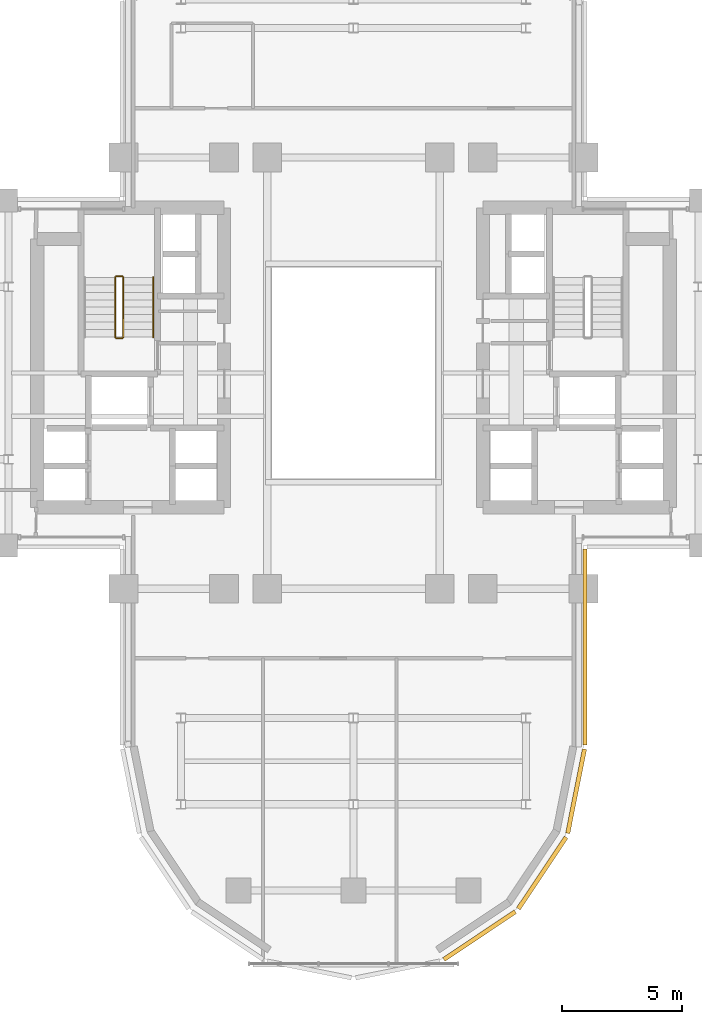
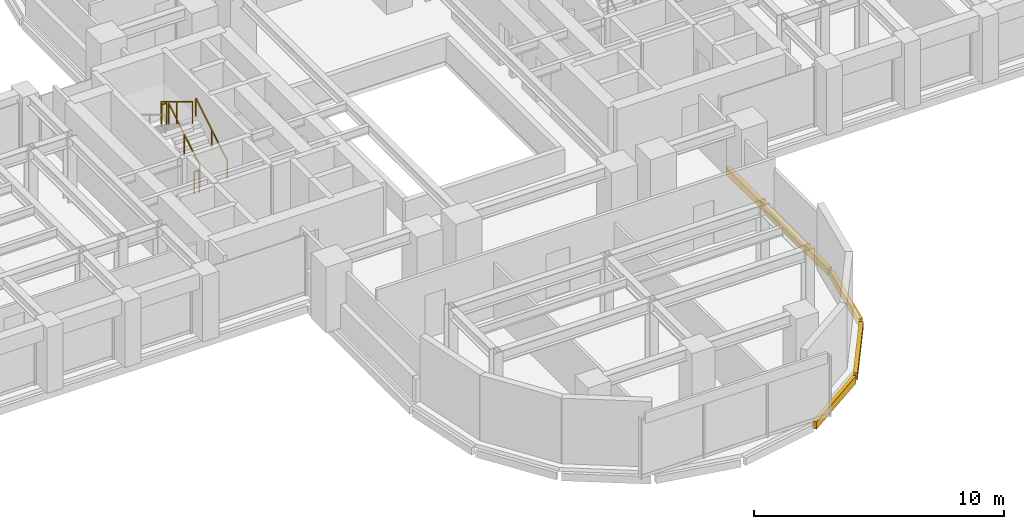
# One storey, part 14 of 16: 5 railings, 4 coverings.
"""IFC4 building model written with IfcOpenShell, lengths in metres."""

from ifc_helpers import new_model, si_unit, direction, frame, origin, origin_2d, place, context, subcontext, project, spatial, rectangle, extrude, source, transform, mapped, material, layer, layer_set, type_object, element, save


model = new_model("IFC4")

# Units and contexts
model_context = context("Model", 3, precision=1e-05, world=origin(), true_north=direction((0.0, 1.0)))
body_context = subcontext(model_context, "Body", "Model", "MODEL_VIEW")
ifc_project = project(units=[si_unit("LENGTHUNIT", "METRE"), si_unit("AREAUNIT", "SQUARE_METRE"), si_unit("VOLUMEUNIT", "CUBIC_METRE"), si_unit("PLANEANGLEUNIT", "RADIAN"), si_unit("MASSUNIT", "GRAM", prefix="KILO")], contexts=[model_context])

# Site, building, storey
site_placement = place(None, origin())
site = spatial("IfcSite", under=ifc_project, at=site_placement, CompositionType="ELEMENT")
building_placement = place(site_placement, origin())
building = spatial("IfcBuilding", under=site, at=building_placement, Name="Keilestroom Media Tower", CompositionType="ELEMENT")
storey_placement = place(building_placement, frame((0.0, 0.0, 57.800048828125)))
storey = spatial("IfcBuildingStorey", under=building, at=storey_placement, Name="L14", CompositionType="ELEMENT", Elevation=57.800048828125)

# Railings
ifc_material_1 = material(Name="Brushed Stainless Steel 1.4301", Category="steel")
railing_type_1 = type_object("IfcRailingType", Name="Stair-Pitch-Handrail-920", PredefinedType="HANDRAIL", material=ifc_material_1)
railing_1_placement = place(storey_placement, frame((-8.35009765625, 1.5, 0.188720703125)))
element("IfcRailing", 1, at=railing_1_placement, inside=storey, type_object=railing_type_1, Name="L14 ST-1 stair handrail 1", PredefinedType="HANDRAIL", context=body_context, shape_type="SweptSolid", body=[
    extrude(rectangle(XDim=0.048095703125, YDim=0.048095703125, at=origin_2d()), frame((0.0, 0.0, 0.8759765625), z_axis=(0.0, 0.855433747314, 0.517912255074), x_axis=(-1.0, 0.0, 0.0)), (0.0, 0.0, 1.0), 2.91796875),
    extrude(rectangle(XDim=0.0419921875, YDim=0.0419921875, at=origin_2d()), origin(), (0.0, 0.0, 1.0), 0.84375),
    extrude(rectangle(XDim=0.0419921875, YDim=0.0419921875, at=origin_2d()), frame((0.0, 1.248046875, 0.755615234375)), (0.0, 0.0, 1.0), 0.84375),
    extrude(rectangle(XDim=0.0419921875, YDim=0.0419921875, at=origin_2d()), frame((0.0, 2.49609375, 1.51123046875)), (0.0, 0.0, 1.0), 0.84375),
])
ifc_material_2 = material(Name="Painted Steel Balustrade", Category="steel")
railing_type_2 = type_object("IfcRailingType", Name="Stair-Well-And-Landing-Guard-1100", PredefinedType="GUARDRAIL", material=ifc_material_2)
railing_2_placement = place(storey_placement, frame((-9.610107421875, 1.5, 0.188720703125)))
element("IfcRailing", 2, at=railing_2_placement, inside=storey, type_object=railing_type_2, Name="L14 ST-1 stair guard 1", PredefinedType="GUARDRAIL", context=body_context, shape_type="SweptSolid", body=[
    extrude(rectangle(XDim=0.048095703125, YDim=0.048095703125, at=origin_2d()), frame((0.0, 0.0, 1.076171875), z_axis=(0.0, 0.855433747314, 0.517912255074), x_axis=(-1.0, 0.0, 0.0)), (0.0, 0.0, 1.0), 2.91796875),
    extrude(rectangle(XDim=0.0419921875, YDim=0.0419921875, at=origin_2d()), origin(), (0.0, 0.0, 1.0), 1.0439453125),
    extrude(rectangle(XDim=0.0419921875, YDim=0.0419921875, at=origin_2d()), frame((0.0, 1.248046875, 0.755615234375)), (0.0, 0.0, 1.0), 1.0439453125),
    extrude(rectangle(XDim=0.0419921875, YDim=0.0419921875, at=origin_2d()), frame((0.0, 2.49609375, 1.51123046875)), (0.0, 0.0, 1.0), 1.0439453125),
])
railing_3_placement = place(storey_placement, frame((-9.659912109375, 4.0458984375, 1.699951171875)))
element("IfcRailing", 3, at=railing_3_placement, inside=storey, type_object=railing_type_2, Name="L14 ST-1 stair guard 2", PredefinedType="GUARDRAIL", context=body_context, shape_type="SweptSolid", body=[
    extrude(rectangle(XDim=0.048095703125, YDim=0.048095703125, at=origin_2d()), frame((0.0, 0.0, 1.076171875), z_axis=(-1.0, 0.0, 0.0), x_axis=(0.0, -1.0, 0.0)), (0.0, 0.0, 1.0), 0.239990234375),
    extrude(rectangle(XDim=0.0419921875, YDim=0.0419921875, at=origin_2d()), origin(), (0.0, 0.0, 1.0), 1.0439453125),
    extrude(rectangle(XDim=0.0419921875, YDim=0.0419921875, at=origin_2d()), frame((-0.239990234375, 0.0, 0.0)), (0.0, 0.0, 1.0), 1.0439453125),
])
railing_4_placement = place(storey_placement, frame((-9.949951171875, 3.99609375, 1.888916015625)))
element("IfcRailing", 4, at=railing_4_placement, inside=storey, type_object=railing_type_2, Name="L14 ST-1 stair guard 3", PredefinedType="GUARDRAIL", context=body_context, shape_type="SweptSolid", body=[
    extrude(rectangle(XDim=0.048095703125, YDim=0.048095703125, at=origin_2d()), frame((0.0, 0.0, 1.076171875), z_axis=(0.0, -0.855470815493, 0.517851024754), x_axis=(1.0, 0.0, 0.0)), (0.0, 0.0, 1.0), 2.917724609375),
    extrude(rectangle(XDim=0.0419921875, YDim=0.0419921875, at=origin_2d()), origin(), (0.0, 0.0, 1.0), 1.0439453125),
    extrude(rectangle(XDim=0.0419921875, YDim=0.0419921875, at=origin_2d()), frame((0.0, -1.248046875, 0.75537109375)), (0.0, 0.0, 1.0), 1.0439453125),
    extrude(rectangle(XDim=0.0419921875, YDim=0.0419921875, at=origin_2d()), frame((0.0, -2.49609375, 1.510986328125)), (0.0, 0.0, 1.0), 1.0439453125),
])
railing_5_placement = place(storey_placement, frame((-9.659912109375, 1.449951171875, 0.0)))
element("IfcRailing", 5, at=railing_5_placement, inside=storey, type_object=railing_type_2, Name="L14 ST-1 stair guard 4", PredefinedType="GUARDRAIL", context=body_context, shape_type="SweptSolid", body=[
    extrude(rectangle(XDim=0.048095703125, YDim=0.048095703125, at=origin_2d()), frame((0.0, 0.0, 1.076171875), z_axis=(-1.0, 0.0, 0.0), x_axis=(0.0, -1.0, 0.0)), (0.0, 0.0, 1.0), 0.239990234375),
    extrude(rectangle(XDim=0.0419921875, YDim=0.0419921875, at=origin_2d()), origin(), (0.0, 0.0, 1.0), 1.0439453125),
    extrude(rectangle(XDim=0.0419921875, YDim=0.0419921875, at=origin_2d()), frame((-0.239990234375, 0.0, 0.0)), (0.0, 0.0, 1.0), 1.0439453125),
])

# Coverings
ifc_material_3 = material(Name="Precast concrete C40/50", Category="concrete")
ifc_layer = layer(ifc_material_3, 0.1201171875)
ifc_layer_set = layer_set([ifc_layer], Name="Precast concrete C40/50")
covering_type = type_object("IfcCoveringType", Name="Exterior-Precast-Spandrel-Cladding-Panel-120", PredefinedType="CLADDING", material=ifc_layer_set)
shared_shape_1 = source(origin(), body_context, "Body", "SweptSolid", [
    extrude(rectangle(XDim=8.166015625, YDim=0.179931640625, at=origin_2d()), origin(), (0.0, 0.0, 1.0), 0.360107421875),
])
covering_1_placement = place(storey_placement, frame((9.659912109375, -11.43310546875, -0.5400390625), z_axis=(0.0, 0.0, 1.0), x_axis=(0.0, -1.0, 0.0)))
element("IfcCovering", 6, at=covering_1_placement, inside=storey, type_object=covering_type, Name="L14 Precast Slab-Edge Fascia Cornice 06", PredefinedType="CLADDING", context=body_context, shape_type="MappedRepresentation", body=[
    mapped(shared_shape_1, transform((0.0, 0.0, 0.0), x_axis=(1.0, 0.0, 0.0), y_axis=(0.0, 1.0, 0.0), z_axis=(0.0, 0.0, 1.0), scale=1.0)),
])
shared_shape_2 = source(origin(), body_context, "Body", "SweptSolid", [
    extrude(rectangle(XDim=3.58349609375, YDim=0.179931640625, at=origin_2d()), origin(), (0.0, 0.0, 1.0), 0.360107421875),
])
covering_2_placement = place(storey_placement, frame((9.29296875, -17.45166015625, -0.5400390625), z_axis=(0.0, 0.0, 1.0), x_axis=(-0.195098880975, -0.980783577882, 0.0)))
element("IfcCovering", 7, at=covering_2_placement, inside=storey, type_object=covering_type, Name="L14 Precast Slab-Edge Fascia Cornice 07", PredefinedType="CLADDING", context=body_context, shape_type="MappedRepresentation", body=[
    mapped(shared_shape_2, transform((0.0, 0.0, 0.0), x_axis=(1.0, 0.0, 0.0), y_axis=(0.0, 1.0, 0.0), z_axis=(0.0, 0.0, 1.0), scale=1.0)),
])
shared_shape_3 = source(origin(), body_context, "Body", "SweptSolid", [
    extrude(rectangle(XDim=3.589599609375, YDim=0.179931640625, at=origin_2d()), origin(), (0.0, 0.0, 1.0), 0.360107421875),
])
for number, where, z_axis, x_axis, name in (
    (8, (7.878662109375, -20.8642578125, -0.5400390625), (0.0, 0.0, 1.0), (-0.555574586577, -0.831466703332, 0.0), "L14 Precast Slab-Edge Fascia Cornice 08"),
    (9, (5.264404296875, -23.478515625, -0.5400390625), (0.0, 0.0, 1.0), (-0.831466703332, -0.555574586577, 0.0), "L14 Precast Slab-Edge Fascia Cornice 09"),
):
    element("IfcCovering", number, at=place(storey_placement, frame(where, z_axis=z_axis, x_axis=x_axis)), inside=storey, type_object=covering_type, Name=name, PredefinedType="CLADDING", context=body_context, shape_type="MappedRepresentation", body=[
        mapped(shared_shape_3, transform((0.0, 0.0, 0.0), x_axis=(1.0, 0.0, 0.0), y_axis=(0.0, 1.0, 0.0), z_axis=(0.0, 0.0, 1.0), scale=1.0)),
    ])

save(model, "model.ifc")
